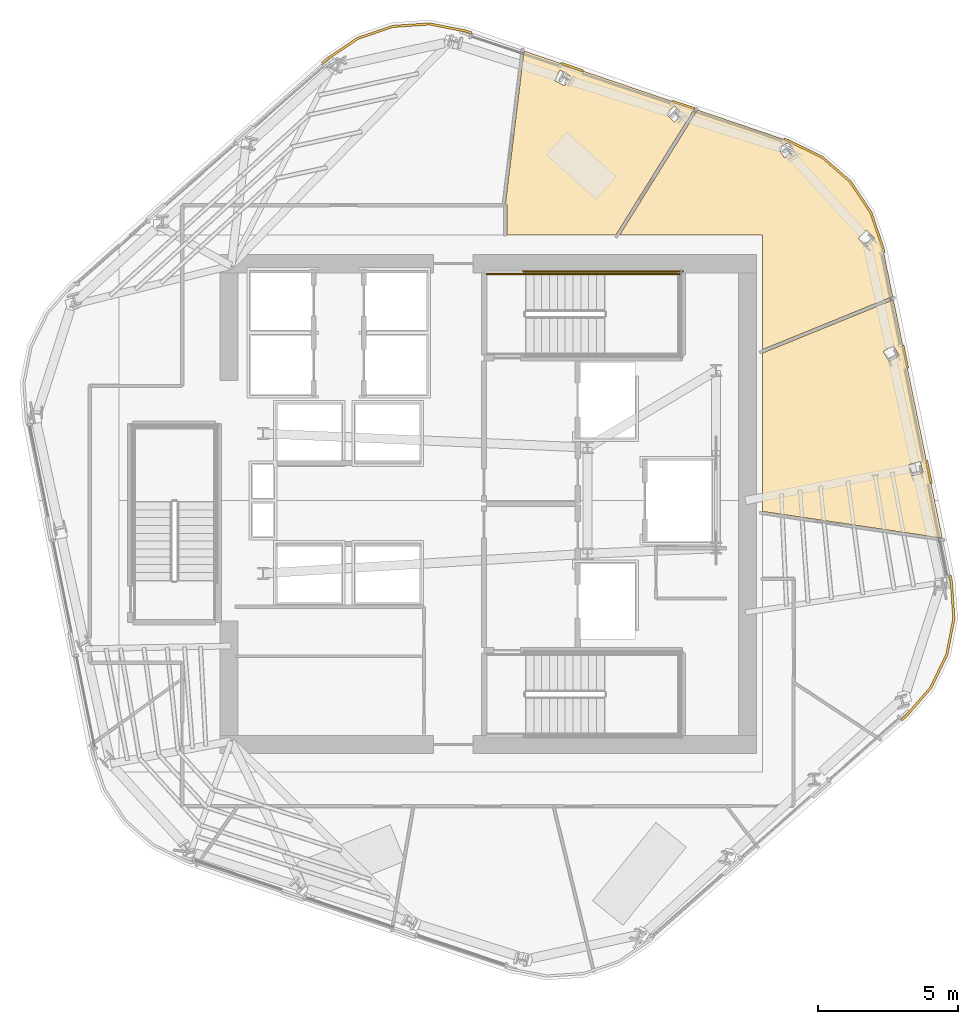
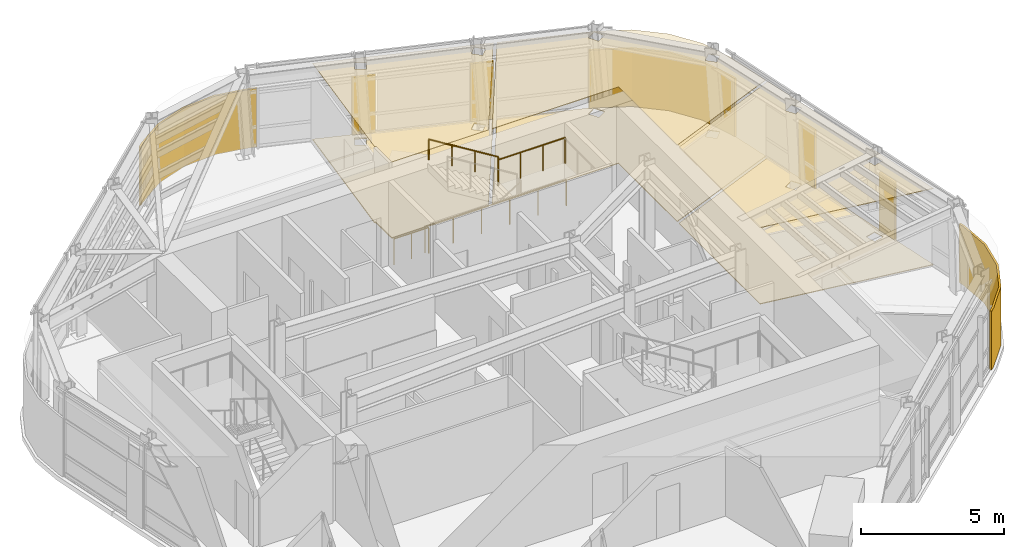
# One storey, part 14 of 15: 13 coverings, 4 railings.
"""IFC4 building model written with IfcOpenShell, lengths in metres."""

from ifc_helpers import new_model, si_unit, direction, frame, origin, origin_2d, place, context, subcontext, project, spatial, polyline, circle, outline, extrude, material, layer, layer_set, type_object, element, save


model = new_model("IFC4")

# Units and contexts
model_context = context("Model", 3, precision=1e-05, world=origin(), true_north=direction((0.0, 1.0)))
body_context = subcontext(model_context, "Body", "Model", "MODEL_VIEW")
ifc_project = project(units=[si_unit("LENGTHUNIT", "METRE"), si_unit("AREAUNIT", "SQUARE_METRE"), si_unit("VOLUMEUNIT", "CUBIC_METRE"), si_unit("PLANEANGLEUNIT", "RADIAN"), si_unit("MASSUNIT", "GRAM", prefix="KILO")], contexts=[model_context])

# Site, building, storey
site_placement = place(None, origin())
site = spatial("IfcSite", under=ifc_project, at=site_placement, CompositionType="ELEMENT")
building_placement = place(site_placement, origin())
building = spatial("IfcBuilding", under=site, at=building_placement, Name="Valkerne Bourse Tower", CompositionType="ELEMENT")
storey_placement = place(building_placement, frame((0.0, 0.0, 201.800048828125)))
storey = spatial("IfcBuildingStorey", under=building, at=storey_placement, Name="L51", CompositionType="ELEMENT", Elevation=201.800048828125)

# Coverings
ifc_material_1 = material(Name="Mineral Fiber Acoustic Ceiling Tile", Category="acoustic")
ifc_layer_1 = layer(ifc_material_1, 0.02490234375)
ifc_layer_set_1 = layer_set([ifc_layer_1], Name="Mineral Fiber Acoustic Ceiling Tile")
covering_type_1 = type_object("IfcCoveringType", Name="COV-CEIL-ACT", PredefinedType="CEILING", material=ifc_layer_set_1)
covering_1_placement = place(storey_placement, frame((0.0, 0.0, 3.25)))
element("IfcCovering", 1, at=covering_1_placement, inside=storey, type_object=covering_type_1, Name="L51 Suspended Ceiling 09", PredefinedType="CEILING", context=body_context, shape_type="SweptSolid", body=[
    extrude(outline(polyline([(47.468994140625, 37.5634765625), (47.45166015625, 37.606201171875), (47.4150390625, 37.626220703125), (48.0771484375, 43.08349609375), (54.1689453125, 41.010986328125), (51.3603515625, 36.5), (47.468994140625, 36.5), (47.468994140625, 37.5634765625)]), holes=[polyline([(53.4560546875, 41.11572265625), (53.4541015625, 41.11669921875), (53.164794921875, 40.823486328125), (53.458984375, 40.53271484375), (53.4609375, 40.53173828125), (53.75, 40.824951171875), (53.4560546875, 41.11572265625)]), polyline([(49.729248046875, 42.19384765625), (49.3671875, 42.393798828125), (49.364990234375, 42.39404296875), (49.166259765625, 42.033447265625), (49.5283203125, 41.83349609375), (49.530517578125, 41.8330078125), (49.729248046875, 42.19384765625)])]), origin(), (0.0, 0.0, 1.0), 0.02490234375),
])
covering_2_placement = place(storey_placement, frame((0.0, 0.0, 3.25)))
element("IfcCovering", 2, at=covering_2_placement, inside=storey, type_object=covering_type_1, Name="L51 Suspended Ceiling 10", PredefinedType="CEILING", context=body_context, shape_type="SweptSolid", body=[
    extrude(outline(polyline([(61.289794921875, 34.18505859375), (63.037841796875, 25.660400390625), (56.60009765625, 26.615966796875), (56.60009765625, 32.274169921875), (61.289794921875, 34.18505859375)]), holes=[polyline([(62.35498046875, 28.00439453125), (62.24609375, 28.400634765625), (61.846435546875, 28.291015625), (61.846435546875, 28.288818359375), (61.955810546875, 27.892333984375), (62.355224609375, 28.002197265625), (62.35498046875, 28.00439453125)]), polyline([(61.495849609375, 32.196044921875), (61.283203125, 32.5478515625), (60.928466796875, 32.333740234375), (60.92919921875, 32.33154296875), (61.141845703125, 31.979736328125), (61.49658203125, 32.19384765625), (61.495849609375, 32.196044921875)])]), origin(), (0.0, 0.0, 1.0), 0.02490234375),
])
covering_3_placement = place(storey_placement, frame((0.0, 0.0, 3.25)))
element("IfcCovering", 3, at=covering_3_placement, inside=storey, type_object=covering_type_1, Name="L51 Suspended Ceiling 11", PredefinedType="CEILING", context=body_context, shape_type="SweptSolid", body=[
    extrude(outline(polyline([(59.73974609375, 38.407958984375), (60.4755859375, 37.3125), (60.90625, 36.054931640625), (61.265380859375, 34.302734375), (56.60009765625, 32.401611328125), (56.60009765625, 36.5), (51.49951171875, 36.5), (54.28369140625, 40.971923828125), (57.551513671875, 39.860107421875), (58.745361328125, 39.275390625), (59.73974609375, 38.407958984375)]), holes=[polyline([(60.615478515625, 36.387451171875), (60.320556640625, 36.673583984375), (60.03173828125, 36.376708984375), (60.033203125, 36.37451171875), (60.327880859375, 36.08837890625), (60.616943359375, 36.385498046875), (60.615478515625, 36.387451171875)]), polyline([(57.539794921875, 39.817138671875), (57.537841796875, 39.818603515625), (57.183837890625, 39.6083984375), (57.394775390625, 39.25244140625), (57.396484375, 39.2509765625), (57.75048828125, 39.461181640625), (57.539794921875, 39.817138671875)])]), origin(), (0.0, 0.0, 1.0), 0.02490234375),
])
ifc_material_2 = material(Name="Bronze Anodised Aluminium AA 6063-T6", Category="aluminium")
ifc_layer_2 = layer(ifc_material_2, 0.06005859375)
ifc_layer_set_2 = layer_set([ifc_layer_2], Name="Bronze Anodised Aluminium AA 6063-T6")
covering_type_2 = type_object("IfcCoveringType", Name="COV-CRN-ALUM", PredefinedType="CLADDING", material=ifc_layer_set_2)
covering_4_placement = place(storey_placement, origin())
element("IfcCovering", 4, at=covering_4_placement, inside=storey, type_object=covering_type_2, Name="L51 Wind-Shaped Corner Aluminium Cladding 01", PredefinedType="CLADDING", context=body_context, shape_type="SweptSolid", body=[
    extrude(outline(polyline([(63.491943359375, 22.77490234375), (63.235595703125, 21.46875), (62.64990234375, 20.2734375), (61.770751953125, 19.265380859375), (61.607666015625, 19.12255859375), (61.5546875, 19.1826171875), (61.7138671875, 19.322021484375), (62.582763671875, 20.318115234375), (63.1591796875, 21.494384765625), (63.411376953125, 22.780029296875), (63.3212890625, 24.0986328125), (63.27880859375, 24.305908203125), (63.357421875, 24.32177734375), (63.40087890625, 24.109619140625), (63.491943359375, 22.77490234375)])), origin(), (0.0, 0.0, 1.0), 2.5),
])
covering_5_placement = place(storey_placement, origin())
element("IfcCovering", 5, at=covering_5_placement, inside=storey, type_object=covering_type_2, Name="L51 Wind-Shaped Corner Aluminium Cladding 13", PredefinedType="CLADDING", context=body_context, shape_type="SweptSolid", body=[
    extrude(outline(polyline([(41.002685546875, 42.822021484375), (42.11279296875, 43.568115234375), (43.372314453125, 43.999267578125), (44.700439453125, 44.08984375), (46.012939453125, 43.832275390625), (46.218017578125, 43.762451171875), (46.192626953125, 43.6865234375), (45.9921875, 43.7548828125), (44.6953125, 44.00927734375), (43.38818359375, 43.920166015625), (42.148681640625, 43.495849609375), (41.0517578125, 42.758544921875), (40.8935546875, 42.6181640625), (40.8408203125, 42.67822265625), (41.002685546875, 42.822021484375)])), origin(), (0.0, 0.0, 1.0), 2.5),
])
covering_6_placement = place(storey_placement, origin())
element("IfcCovering", 6, at=covering_6_placement, inside=storey, type_object=covering_type_2, Name="L51 Wind-Shaped Corner Aluminium Cladding 14", PredefinedType="CLADDING", context=body_context, shape_type="SweptSolid", body=[
    extrude(outline(polyline([(50.205810546875, 42.40576171875), (50.18017578125, 42.330078125), (49.385009765625, 42.6005859375), (49.410400390625, 42.67626953125), (50.205810546875, 42.40576171875)])), origin(), (0.0, 0.0, 1.0), 2.5),
])
covering_7_placement = place(storey_placement, origin())
element("IfcCovering", 7, at=covering_7_placement, inside=storey, type_object=covering_type_2, Name="L51 Wind-Shaped Corner Aluminium Cladding 15", PredefinedType="CLADDING", context=body_context, shape_type="SweptSolid", body=[
    extrude(outline(polyline([(54.193359375, 41.04931640625), (54.167724609375, 40.973388671875), (53.37255859375, 41.243896484375), (53.398193359375, 41.319580078125), (54.193359375, 41.04931640625)])), origin(), (0.0, 0.0, 1.0), 2.5),
])
covering_8_placement = place(storey_placement, origin())
element("IfcCovering", 8, at=covering_8_placement, inside=storey, type_object=covering_type_2, Name="L51 Wind-Shaped Corner Aluminium Cladding 16", PredefinedType="CLADDING", context=body_context, shape_type="SweptSolid", body=[
    extrude(outline(polyline([(57.568359375, 39.90087890625), (58.77001953125, 39.312255859375), (59.77294921875, 38.437255859375), (60.515380859375, 37.33251953125), (60.94873046875, 36.066650390625), (60.987548828125, 35.87744140625), (60.9091796875, 35.861572265625), (60.871337890625, 36.04541015625), (60.443115234375, 37.29638671875), (59.71240234375, 38.3837890625), (58.72509765625, 39.2451171875), (57.53759765625, 39.826904296875), (57.360107421875, 39.88720703125), (57.385498046875, 39.963134765625), (57.568359375, 39.90087890625)])), origin(), (0.0, 0.0, 1.0), 2.5),
])
covering_9_placement = place(storey_placement, origin())
element("IfcCovering", 9, at=covering_9_placement, inside=storey, type_object=covering_type_2, Name="L51 Wind-Shaped Corner Aluminium Cladding 17", PredefinedType="CLADDING", context=body_context, shape_type="SweptSolid", body=[
    extrude(outline(polyline([(61.833740234375, 31.751220703125), (61.75537109375, 31.735595703125), (61.58642578125, 32.558349609375), (61.6650390625, 32.57421875), (61.833740234375, 31.751220703125)])), origin(), (0.0, 0.0, 1.0), 2.5),
])
covering_10_placement = place(storey_placement, origin())
element("IfcCovering", 10, at=covering_10_placement, inside=storey, type_object=covering_type_2, Name="L51 Wind-Shaped Corner Aluminium Cladding 18", PredefinedType="CLADDING", context=body_context, shape_type="SweptSolid", body=[
    extrude(outline(polyline([(62.679931640625, 27.625), (62.6015625, 27.609375), (62.4326171875, 28.43212890625), (62.510986328125, 28.447998046875), (62.679931640625, 27.625)])), origin(), (0.0, 0.0, 1.0), 2.5),
])
ifc_material_3 = material(Name="Galvanised Painted Steel", Category="steel")
ifc_layer_3 = layer(ifc_material_3, 0.044921875)
ifc_layer_set_3 = layer_set([ifc_layer_3], Name="Galvanised Painted Steel")
covering_type_3 = type_object("IfcCoveringType", Name="COV-FLR-RAF", PredefinedType="FLOORING", material=ifc_layer_set_3)
covering_11_placement = place(storey_placement, origin())
element("IfcCovering", 11, at=covering_11_placement, inside=storey, type_object=covering_type_3, Name="L51 Floor Finish 09", PredefinedType="FLOORING", context=body_context, shape_type="SweptSolid", body=[
    extrude(outline(polyline([(47.468994140625, 37.5634765625), (47.45166015625, 37.606201171875), (47.4150390625, 37.626220703125), (48.0771484375, 43.08349609375), (54.1689453125, 41.010986328125), (51.3603515625, 36.5), (47.468994140625, 36.5), (47.468994140625, 37.5634765625)]), holes=[polyline([(53.4560546875, 41.11572265625), (53.4541015625, 41.11669921875), (53.164794921875, 40.823486328125), (53.458984375, 40.53271484375), (53.4609375, 40.53173828125), (53.75, 40.824951171875), (53.4560546875, 41.11572265625)]), polyline([(49.729248046875, 42.19384765625), (49.3671875, 42.393798828125), (49.364990234375, 42.39404296875), (49.166259765625, 42.033447265625), (49.5283203125, 41.83349609375), (49.530517578125, 41.8330078125), (49.729248046875, 42.19384765625)])]), origin(), (0.0, 0.0, 1.0), 0.044921875),
])
ifc_material_4 = material(Name="Polished Granite Stone", Category="masonry")
ifc_layer_4 = layer(ifc_material_4, 0.030029296875)
ifc_layer_set_4 = layer_set([ifc_layer_4], Name="Polished Granite Stone")
covering_type_4 = type_object("IfcCoveringType", Name="COV-FLR-TERRAZZO", PredefinedType="FLOORING", material=ifc_layer_set_4)
covering_12_placement = place(storey_placement, origin())
element("IfcCovering", 12, at=covering_12_placement, inside=storey, type_object=covering_type_4, Name="L51 Floor Finish 10", PredefinedType="FLOORING", context=body_context, shape_type="SweptSolid", body=[
    extrude(outline(polyline([(61.289794921875, 34.18505859375), (63.037841796875, 25.660400390625), (56.60009765625, 26.615966796875), (56.60009765625, 32.274169921875), (61.289794921875, 34.18505859375)]), holes=[polyline([(62.35498046875, 28.00439453125), (62.24609375, 28.400634765625), (61.846435546875, 28.291015625), (61.846435546875, 28.288818359375), (61.955810546875, 27.892333984375), (62.355224609375, 28.002197265625), (62.35498046875, 28.00439453125)]), polyline([(61.495849609375, 32.196044921875), (61.283203125, 32.5478515625), (60.928466796875, 32.333740234375), (60.92919921875, 32.33154296875), (61.141845703125, 31.979736328125), (61.49658203125, 32.19384765625), (61.495849609375, 32.196044921875)])]), origin(), (0.0, 0.0, 1.0), 0.030029296875),
])
covering_13_placement = place(storey_placement, origin())
element("IfcCovering", 13, at=covering_13_placement, inside=storey, type_object=covering_type_4, Name="L51 Floor Finish 11", PredefinedType="FLOORING", context=body_context, shape_type="SweptSolid", body=[
    extrude(outline(polyline([(59.73974609375, 38.407958984375), (60.4755859375, 37.3125), (60.90625, 36.054931640625), (61.265380859375, 34.302734375), (56.60009765625, 32.401611328125), (56.60009765625, 36.5), (51.49951171875, 36.5), (54.28369140625, 40.971923828125), (57.551513671875, 39.860107421875), (58.745361328125, 39.275390625), (59.73974609375, 38.407958984375)]), holes=[polyline([(60.615478515625, 36.387451171875), (60.320556640625, 36.673583984375), (60.03173828125, 36.376708984375), (60.033203125, 36.37451171875), (60.327880859375, 36.08837890625), (60.616943359375, 36.385498046875), (60.615478515625, 36.387451171875)]), polyline([(57.539794921875, 39.817138671875), (57.537841796875, 39.818603515625), (57.183837890625, 39.6083984375), (57.394775390625, 39.25244140625), (57.396484375, 39.2509765625), (57.75048828125, 39.461181640625), (57.539794921875, 39.817138671875)])]), origin(), (0.0, 0.0, 1.0), 0.030029296875),
])

# Railings
railing_type_1 = type_object("IfcRailingType", Name="RLG-ST-GUARD-1120", PredefinedType="GUARDRAIL", material=ifc_material_3)
railing_1_placement = place(storey_placement, frame((50.949951171875, 35.10009765625, 1.89990234375)))
element("IfcRailing", 14, at=railing_1_placement, inside=storey, type_object=railing_type_1, Name="L51 ST-2 stair guard 4", PredefinedType="GUARDRAIL", context=body_context, shape_type="SweptSolid", body=[
    extrude(circle(Radius=0.02392578125, at=origin_2d()), frame((0.0, 0.0, 1.09619140625), z_axis=(1.0, 0.0, 0.0), x_axis=(0.0, 1.0, 0.0)), (0.0, 0.0, 1.0), 2.699951171875),
    extrude(circle(Radius=0.02099609375, at=origin_2d()), origin(), (0.0, 0.0, 1.0), 1.072021484375),
    extrude(circle(Radius=0.02099609375, at=origin_2d()), frame((0.89990234375, 0.0, 0.0)), (0.0, 0.0, 1.0), 1.072021484375),
    extrude(circle(Radius=0.02099609375, at=origin_2d()), frame((1.800048828125, 0.0, 0.0)), (0.0, 0.0, 1.0), 1.072021484375),
    extrude(circle(Radius=0.02099609375, at=origin_2d()), frame((2.699951171875, 0.0, 0.0)), (0.0, 0.0, 1.0), 1.072021484375),
])
railing_2_placement = place(storey_placement, frame((46.75, 35.10009765625, 0.0)))
element("IfcRailing", 15, at=railing_2_placement, inside=storey, type_object=railing_type_1, Name="L51 ST-2 stair guard 9", PredefinedType="GUARDRAIL", context=body_context, shape_type="SweptSolid", body=[
    extrude(circle(Radius=0.02392578125, at=origin_2d()), frame((0.0, 0.0, 1.09619140625), z_axis=(1.0, 0.0, 0.0), x_axis=(0.0, 1.0, 0.0)), (0.0, 0.0, 1.0), 1.39990234375),
    extrude(circle(Radius=0.02099609375, at=origin_2d()), origin(), (0.0, 0.0, 1.0), 1.072021484375),
    extrude(circle(Radius=0.02099609375, at=origin_2d()), frame((0.699951171875, 0.0, 0.0)), (0.0, 0.0, 1.0), 1.072021484375),
    extrude(circle(Radius=0.02099609375, at=origin_2d()), frame((1.39990234375, 0.0, 0.0)), (0.0, 0.0, 1.0), 1.072021484375),
])
railing_3_placement = place(storey_placement, frame((48.050048828125, 35.199951171875, 0.0)))
element("IfcRailing", 16, at=railing_3_placement, inside=storey, type_object=railing_type_1, Name="L51 ST-2 stair guard 11", PredefinedType="GUARDRAIL", context=body_context, shape_type="SweptSolid", body=[
    extrude(circle(Radius=0.02392578125, at=origin_2d()), frame((0.0, 0.0, 1.09619140625), z_axis=(1.0, 0.0, 0.0), x_axis=(0.0, 1.0, 0.0)), (0.0, 0.0, 1.0), 5.699951171875),
    extrude(circle(Radius=0.02099609375, at=origin_2d()), origin(), (0.0, 0.0, 1.0), 1.072021484375),
    extrude(circle(Radius=0.02099609375, at=origin_2d()), frame((1.139892578125, 0.0, 0.0)), (0.0, 0.0, 1.0), 1.072021484375),
    extrude(circle(Radius=0.02099609375, at=origin_2d()), frame((2.280029296875, 0.0, 0.0)), (0.0, 0.0, 1.0), 1.072021484375),
    extrude(circle(Radius=0.02099609375, at=origin_2d()), frame((3.419921875, 0.0, 0.0)), (0.0, 0.0, 1.0), 1.072021484375),
    extrude(circle(Radius=0.02099609375, at=origin_2d()), frame((4.56005859375, 0.0, 0.0)), (0.0, 0.0, 1.0), 1.072021484375),
    extrude(circle(Radius=0.02099609375, at=origin_2d()), frame((5.699951171875, 0.0, 0.0)), (0.0, 0.0, 1.0), 1.072021484375),
])
ifc_material_5 = material(Name="Stainless Steel AISI 316", Category="steel")
railing_type_2 = type_object("IfcRailingType", Name="RLG-ST-HANDRAIL-900", PredefinedType="HANDRAIL", material=ifc_material_5)
railing_4_placement = place(storey_placement, frame((50.949951171875, 35.10009765625, 2.245361328125)))
element("IfcRailing", 17, at=railing_4_placement, inside=storey, type_object=railing_type_2, Name="L51 ST-2 stair handrail 2", PredefinedType="HANDRAIL", context=body_context, shape_type="SweptSolid", body=[
    extrude(circle(Radius=0.02392578125, at=origin_2d()), frame((0.0, 0.0, 0.8759765625), z_axis=(-0.851089632645, 0.0, 0.525020415988), x_axis=(0.0, -1.0, 0.0)), (0.0, 0.0, 1.0), 3.2900390625),
    extrude(circle(Radius=0.02099609375, at=origin_2d()), origin(), (0.0, 0.0, 1.0), 0.851806640625),
    extrude(circle(Radius=0.02099609375, at=origin_2d()), frame((-0.933349609375, 0.0, 0.57568359375)), (0.0, 0.0, 1.0), 0.851806640625),
    extrude(circle(Radius=0.02099609375, at=origin_2d()), frame((-1.86669921875, 0.0, 1.151611328125)), (0.0, 0.0, 1.0), 0.851806640625),
    extrude(circle(Radius=0.02099609375, at=origin_2d()), frame((-2.800048828125, 0.0, 1.727294921875)), (0.0, 0.0, 1.0), 0.851806640625),
])

save(model, "model.ifc")
